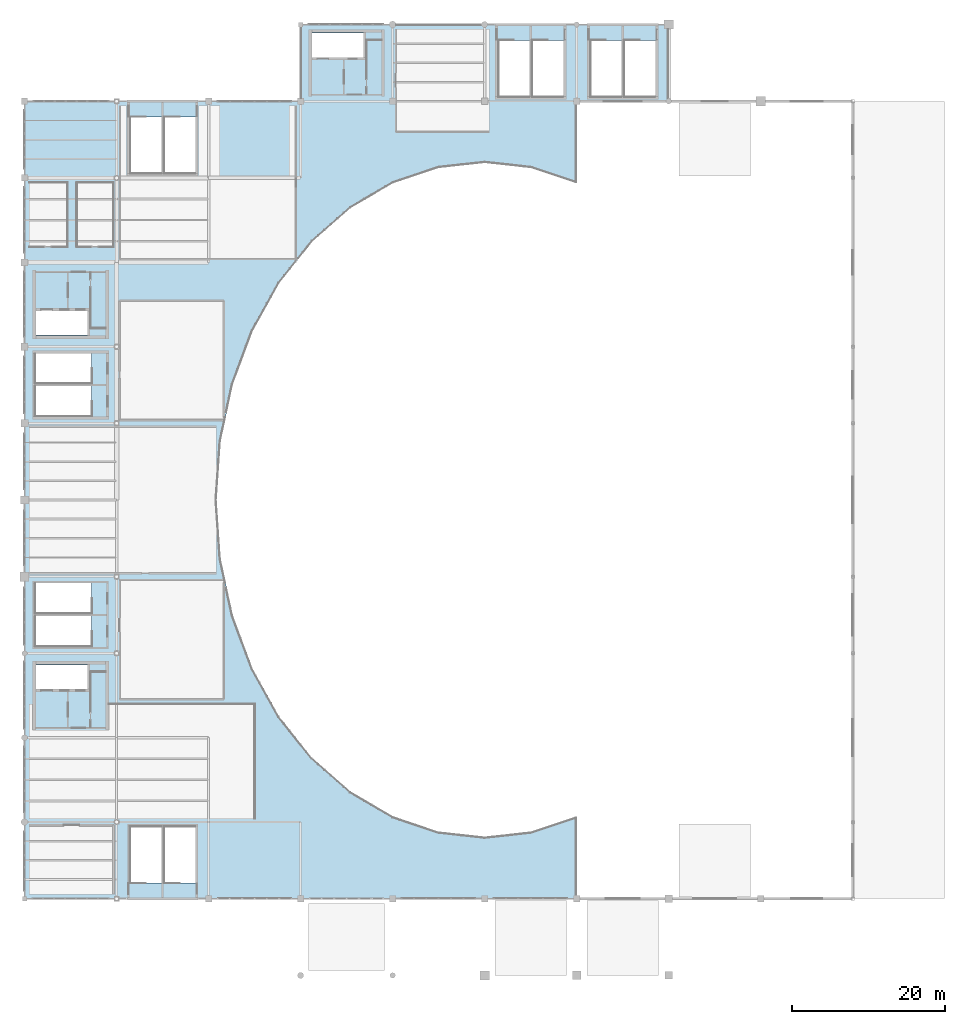
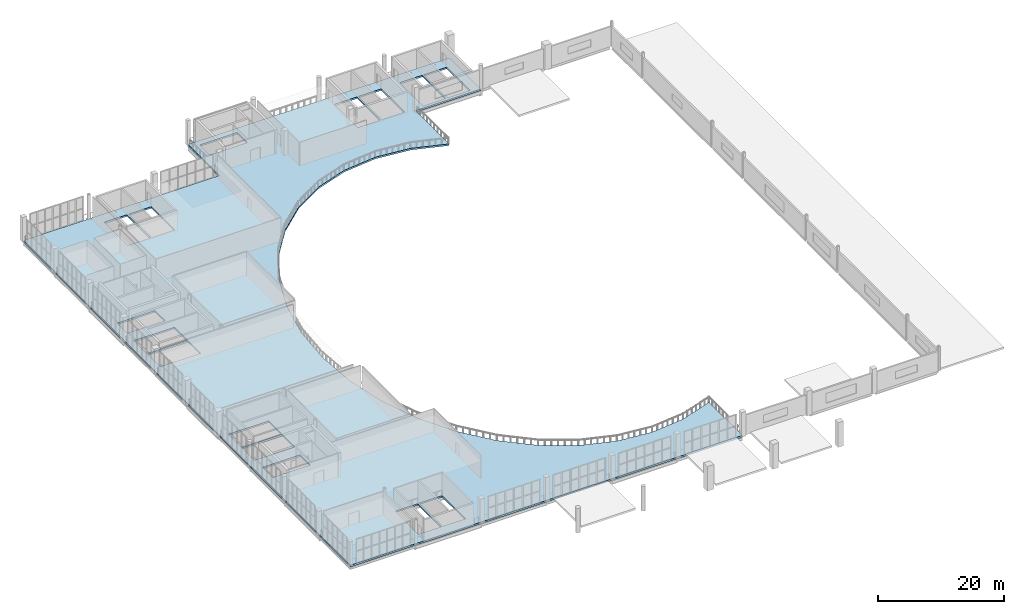
# One storey, part 34 of 49: 1 slab.
"""IFC4 building model written with IfcOpenShell, lengths in metres."""

from ifc_helpers import new_model, si_unit, direction, frame, origin, place, context, subcontext, project, spatial, polyline, outline, extrude, material, layer, layer_set, type_object, element, save


model = new_model("IFC4")

# Units and contexts
model_context = context("Model", 3, precision=1e-05, world=origin(), true_north=direction((0.0, 1.0)))
body_context = subcontext(model_context, "Body", "Model", "MODEL_VIEW")
ifc_project = project(units=[si_unit("LENGTHUNIT", "METRE"), si_unit("AREAUNIT", "SQUARE_METRE"), si_unit("VOLUMEUNIT", "CUBIC_METRE"), si_unit("PLANEANGLEUNIT", "RADIAN"), si_unit("MASSUNIT", "GRAM", prefix="KILO")], contexts=[model_context])

# Site, building, storey
site_placement = place(None, origin())
site = spatial("IfcSite", under=ifc_project, at=site_placement, CompositionType="ELEMENT")
building_placement = place(site_placement, origin())
building = spatial("IfcBuilding", under=site, at=building_placement, Name="Brinegate Civic Arena", CompositionType="ELEMENT")
storey_placement = place(building_placement, frame((0.0, 0.0, 24.60009765625)))
storey = spatial("IfcBuildingStorey", under=building, at=storey_placement, Name="L05", CompositionType="ELEMENT", Elevation=24.60009765625)

# Slab
ifc_material = material(Name="Concrete C40/50", Category="concrete")
ifc_layer = layer(ifc_material, 0.330078125, Name="Concrete C40/50")
ifc_layer_set = layer_set([ifc_layer], Name="Concrete C40/50")
slab_type = type_object("IfcSlabType", Name="SLAB-CONC-330", PredefinedType="FLOOR", material=ifc_layer_set)
slab_placement = place(storey_placement, frame((0.0, 0.0, -0.330078125)))
element("IfcSlab", 1, at=slab_placement, inside=storey, type_object=slab_type, Name="Broadcast Crescent and Commentary Gondola Slab", PredefinedType="FLOOR", context=body_context, shape_type="SweptSolid", body=[
    extrude(outline(polyline([(48.0, 10.0), (48.0, 114.0), (84.0, 114.0), (84.0, 124.0), (132.0, 124.0), (132.0, 114.0), (120.0, 114.0), (120.0, 103.3291015625), (119.970947265625, 103.345947265625), (114.077880859375, 105.33203125), (108.0, 106.0), (101.922119140625, 105.33203125), (96.029052734375, 103.345947265625), (90.5, 100.10498046875), (85.501953125, 95.7060546875), (81.18798828125, 90.282958984375), (77.68896484375, 84.0), (75.111083984375, 77.049072265625), (73.531982421875, 69.64111328125), (73.0, 62.0), (73.531982421875, 54.35888671875), (75.111083984375, 46.950927734375), (77.68896484375, 40.0), (81.18798828125, 33.717041015625), (85.501953125, 28.2939453125), (90.5, 23.89501953125), (96.029052734375, 20.654052734375), (101.922119140625, 18.66796875), (108.0, 18.0), (114.077880859375, 18.66796875), (119.970947265625, 20.654052734375), (120.0, 20.6708984375), (120.0, 10.0), (48.0, 10.0)]), holes=[polyline([(65.85498046875, 12.050048828125), (65.85498046875, 19.455078125), (61.695068359375, 19.455078125), (61.695068359375, 12.050048828125), (65.85498046875, 12.050048828125)]), polyline([(56.39990234375, 37.300048828125), (56.39990234375, 40.5), (49.5, 40.5), (49.5, 37.300048828125), (56.39990234375, 37.300048828125)]), polyline([(56.75, 42.844970703125), (56.75, 46.85498046875), (49.344970703125, 46.85498046875), (49.344970703125, 42.844970703125), (56.75, 42.844970703125)]), polyline([(56.75, 47.14501953125), (56.75, 51.155029296875), (49.344970703125, 51.155029296875), (49.344970703125, 47.14501953125), (56.75, 47.14501953125)]), polyline([(56.75, 72.844970703125), (56.75, 76.85498046875), (49.344970703125, 76.85498046875), (49.344970703125, 72.844970703125), (56.75, 72.844970703125)]), polyline([(56.75, 77.14501953125), (56.75, 81.155029296875), (49.344970703125, 81.155029296875), (49.344970703125, 77.14501953125), (56.75, 77.14501953125)]), polyline([(56.39990234375, 83.5), (56.39990234375, 86.699951171875), (49.5, 86.699951171875), (49.5, 83.5), (56.39990234375, 83.5)]), polyline([(65.85498046875, 104.544921875), (65.85498046875, 111.949951171875), (61.695068359375, 111.949951171875), (61.695068359375, 104.544921875), (65.85498046875, 104.544921875)]), polyline([(70.304931640625, 12.050048828125), (70.304931640625, 19.455078125), (66.14501953125, 19.455078125), (66.14501953125, 12.050048828125), (70.304931640625, 12.050048828125)]), polyline([(70.304931640625, 104.544921875), (70.304931640625, 111.949951171875), (66.14501953125, 111.949951171875), (66.14501953125, 104.544921875), (70.304931640625, 104.544921875)]), polyline([(113.85498046875, 114.544921875), (113.85498046875, 121.949951171875), (109.695068359375, 121.949951171875), (109.695068359375, 114.544921875), (113.85498046875, 114.544921875)]), polyline([(118.304931640625, 114.544921875), (118.304931640625, 121.949951171875), (114.14501953125, 121.949951171875), (114.14501953125, 114.544921875), (118.304931640625, 114.544921875)]), polyline([(125.85498046875, 114.544921875), (125.85498046875, 121.949951171875), (121.695068359375, 121.949951171875), (121.695068359375, 114.544921875), (125.85498046875, 114.544921875)]), polyline([(130.304931640625, 114.544921875), (130.304931640625, 121.949951171875), (126.14501953125, 121.949951171875), (126.14501953125, 114.544921875), (130.304931640625, 114.544921875)]), polyline([(92.39990234375, 119.699951171875), (92.39990234375, 122.89990234375), (85.5, 122.89990234375), (85.5, 119.699951171875), (92.39990234375, 119.699951171875)])]), origin(), (0.0, 0.0, 1.0), 0.330078125),
])

save(model, "model.ifc")
